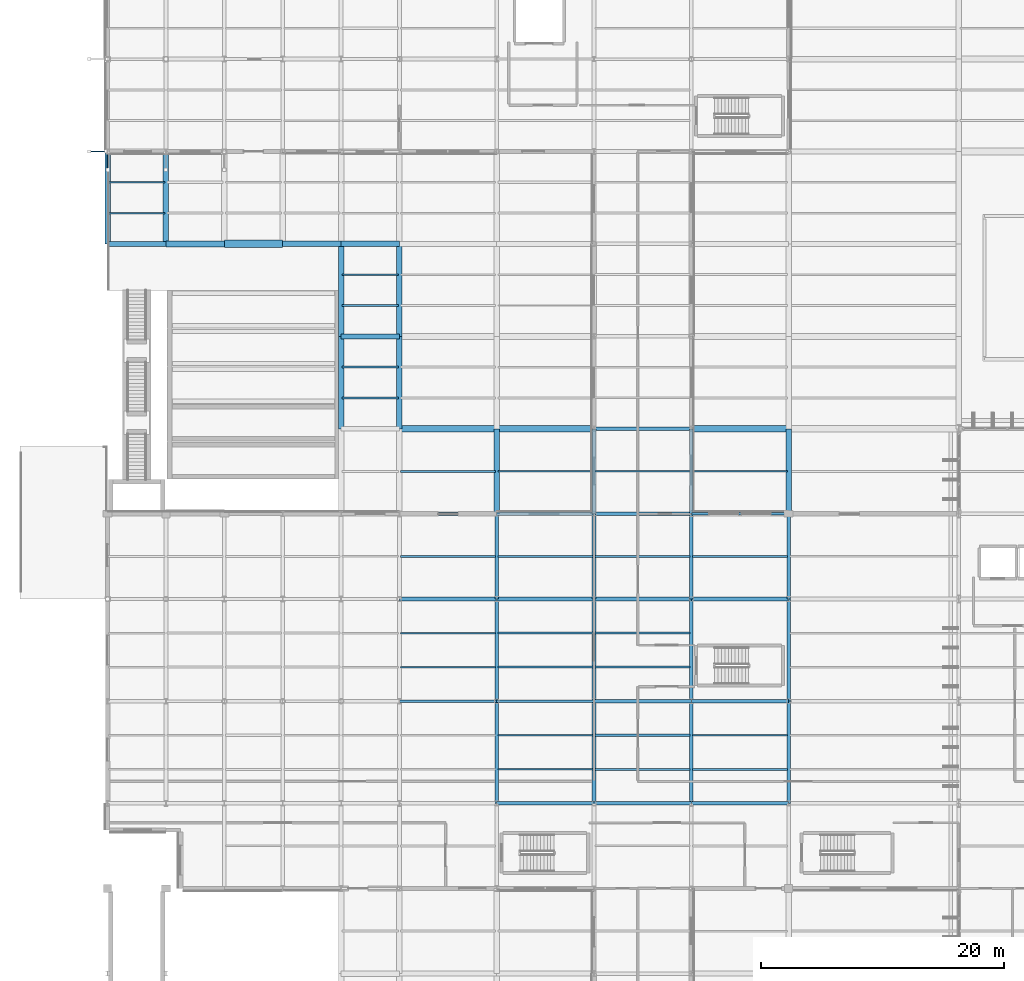
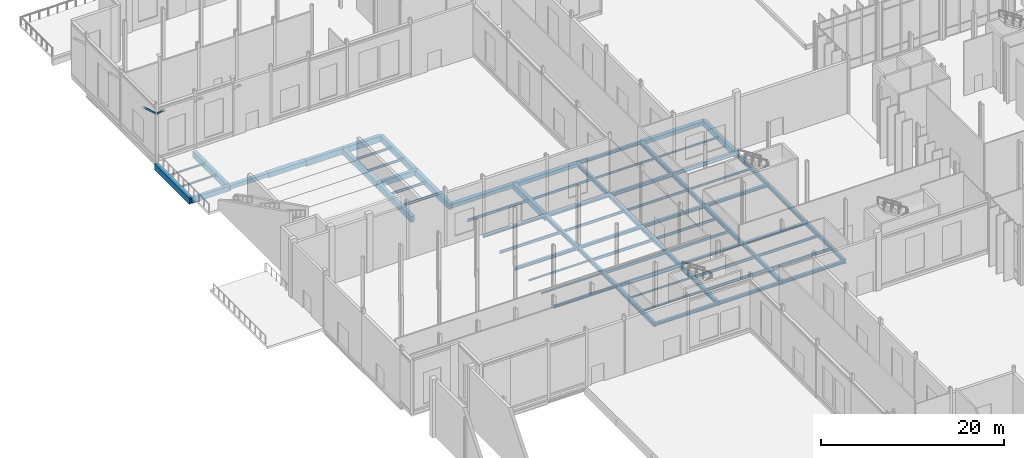
# One storey, part 55 of 176: 73 beams, 2 members.
"""IFC4 building model written with IfcOpenShell, lengths in metres."""

from ifc_helpers import new_model, si_unit, direction, frame, origin, origin_2d, place, context, subcontext, project, spatial, rectangle, hollow_rectangle, i_section, extrude, material, material_profile, profile_set, type_object, element, save


model = new_model("IFC4")

# Units and contexts
model_context = context("Model", 3, precision=1e-05, world=origin(), true_north=direction((0.0, 1.0)))
body_context = subcontext(model_context, "Body", "Model", "MODEL_VIEW")
ifc_project = project(units=[si_unit("LENGTHUNIT", "METRE"), si_unit("AREAUNIT", "SQUARE_METRE"), si_unit("VOLUMEUNIT", "CUBIC_METRE"), si_unit("PLANEANGLEUNIT", "RADIAN"), si_unit("MASSUNIT", "GRAM", prefix="KILO")], contexts=[model_context])

# Site, building, storey
site_placement = place(None, origin())
site = spatial("IfcSite", under=ifc_project, at=site_placement, CompositionType="ELEMENT")
building_placement = place(site_placement, origin())
building = spatial("IfcBuilding", under=site, at=building_placement, Name="Vekula Escarpment Museum", CompositionType="ELEMENT")
storey_placement = place(building_placement, origin())
storey = spatial("IfcBuildingStorey", under=building, at=storey_placement, Name="L01", CompositionType="ELEMENT", Elevation=0.0)

# Beams
ifc_material_1 = material(Name="Steel S355", Category="steel")
ifc_material_profile_1 = material_profile(ifc_material_1, i_section(OverallWidth=0.280029296875, OverallDepth=0.280029296875, WebThickness=0.010498046875, FlangeThickness=0.01806640625, FilletRadius=0.02392578125, at=origin_2d()), Name="HEB 280")
ifc_profile_set_1 = profile_set([ifc_material_profile_1], Name="Steel S355")
beam_type_1 = type_object("IfcBeamType", Name="BM-GIRD-HEB280", PredefinedType="BEAM", material=ifc_profile_set_1)
beam_1_placement = place(storey_placement, frame((40.0, 68.0, -0.43994140625), z_axis=(1.0, 0.0, 0.0), x_axis=(0.0, 1.0, 0.0)))
element("IfcBeam", 1, at=beam_1_placement, inside=storey, type_object=beam_type_1, Name="Beam X L01 0189", PredefinedType="BEAM", context=body_context, shape_type="SweptSolid", body=[
    extrude(i_section(OverallWidth=0.280029296875, OverallDepth=0.280029296875, WebThickness=0.010498046875, FlangeThickness=0.01806640625, FilletRadius=0.02392578125, at=origin_2d()), origin(), (0.0, 0.0, 1.0), 8.0),
])
ifc_material_2 = material(Name="Steel S355", Category="steel")
ifc_material_profile_2 = material_profile(ifc_material_2, i_section(OverallWidth=0.300048828125, OverallDepth=0.300048828125, WebThickness=0.010986328125, FlangeThickness=0.01904296875, FilletRadius=0.027099609375, at=origin_2d()), Name="HEB 300")
ifc_profile_set_2 = profile_set([ifc_material_profile_2], Name="Steel S355")
beam_type_2 = type_object("IfcBeamType", Name="BM-GIRD-HEB300", PredefinedType="BEAM", material=ifc_profile_set_2)
beam_2_placement = place(storey_placement, frame((24.0, 83.39990234375, -0.449951171875), z_axis=(1.0, 0.0, 0.0), x_axis=(0.0, 1.0, 0.0)))
element("IfcBeam", 2, at=beam_2_placement, inside=storey, type_object=beam_type_2, Name="Beam X L01 0233", PredefinedType="BEAM", context=body_context, shape_type="SweptSolid", body=[
    extrude(i_section(OverallWidth=0.300048828125, OverallDepth=0.300048828125, WebThickness=0.010986328125, FlangeThickness=0.01904296875, FilletRadius=0.027099609375, at=origin_2d()), origin(), (0.0, 0.0, 1.0), 8.0),
])
ifc_material_3 = material(Name="Steel S355", Category="steel")
ifc_material_profile_3 = material_profile(ifc_material_3, i_section(OverallWidth=0.300048828125, OverallDepth=0.320068359375, WebThickness=0.011474609375, FlangeThickness=0.0205078125, FilletRadius=0.027099609375, at=origin_2d()), Name="HEB 320")
ifc_profile_set_3 = profile_set([ifc_material_profile_3], Name="Steel S355")
beam_type_3 = type_object("IfcBeamType", Name="BM-GIRD-HEB320", PredefinedType="BEAM", material=ifc_profile_set_3)
beam_3_placement = place(storey_placement, frame((48.0, 68.0, -0.4599609375), z_axis=(1.0, 0.0, 0.0), x_axis=(0.0, 1.0, 0.0)))
element("IfcBeam", 3, at=beam_3_placement, inside=storey, type_object=beam_type_3, Name="Beam X L01 0190", PredefinedType="BEAM", context=body_context, shape_type="SweptSolid", body=[
    extrude(i_section(OverallWidth=0.300048828125, OverallDepth=0.320068359375, WebThickness=0.011474609375, FlangeThickness=0.0205078125, FilletRadius=0.027099609375, at=origin_2d()), origin(), (0.0, 0.0, 1.0), 8.0),
])
ifc_material_4 = material(Name="Steel S355", Category="steel")
ifc_material_profile_4 = material_profile(ifc_material_4, i_section(OverallWidth=0.300048828125, OverallDepth=0.360107421875, WebThickness=0.012451171875, FlangeThickness=0.0224609375, FilletRadius=0.027099609375, at=origin_2d()), Name="HEB 360")
ifc_profile_set_4 = profile_set([ifc_material_profile_4], Name="Steel S355")
beam_type_4 = type_object("IfcBeamType", Name="BM-GIRD-HEB360", PredefinedType="BEAM", material=ifc_profile_set_4)
beam_4_placement = place(storey_placement, frame((32.0, 83.39990234375, -0.5), z_axis=(1.0, 0.0, 0.0), x_axis=(0.0, 1.0, 0.0)))
element("IfcBeam", 4, at=beam_4_placement, inside=storey, type_object=beam_type_4, Name="Beam X L01 0234", PredefinedType="BEAM", context=body_context, shape_type="SweptSolid", body=[
    extrude(i_section(OverallWidth=0.300048828125, OverallDepth=0.360107421875, WebThickness=0.012451171875, FlangeThickness=0.0224609375, FilletRadius=0.027099609375, at=origin_2d()), origin(), (0.0, 0.0, 1.0), 8.0),
])
ifc_material_5 = material(Name="Steel S355", Category="steel")
ifc_material_profile_5 = material_profile(ifc_material_5, i_section(OverallWidth=0.300048828125, OverallDepth=0.449951171875, WebThickness=0.013916015625, FlangeThickness=0.02587890625, FilletRadius=0.027099609375, at=origin_2d()), Name="HEB 450")
ifc_profile_set_5 = profile_set([ifc_material_profile_5], Name="Steel S355")
beam_type_5 = type_object("IfcBeamType", Name="BM-GIRD-HEB450", PredefinedType="BEAM", material=ifc_profile_set_5)
beam_5_placement = place(storey_placement, frame((40.0, 83.39990234375, -0.544921875), z_axis=(1.0, 0.0, 0.0), x_axis=(0.0, 1.0, 0.0)))
element("IfcBeam", 5, at=beam_5_placement, inside=storey, type_object=beam_type_5, Name="Beam X L01 0235", PredefinedType="BEAM", context=body_context, shape_type="SweptSolid", body=[
    extrude(i_section(OverallWidth=0.300048828125, OverallDepth=0.449951171875, WebThickness=0.013916015625, FlangeThickness=0.02587890625, FilletRadius=0.027099609375, at=origin_2d()), origin(), (0.0, 0.0, 1.0), 8.0),
])
ifc_material_6 = material(Name="Steel S355", Category="steel")
ifc_material_profile_6 = material_profile(ifc_material_6, i_section(OverallWidth=0.300048828125, OverallDepth=0.550048828125, WebThickness=0.014892578125, FlangeThickness=0.029052734375, FilletRadius=0.027099609375, at=origin_2d()), Name="HEB 550")
ifc_profile_set_6 = profile_set([ifc_material_profile_6], Name="Steel S355")
beam_type_6 = type_object("IfcBeamType", Name="BM-GIRD-HEB550", PredefinedType="BEAM", material=ifc_profile_set_6)
for number, where, z_axis, x_axis, name in (
    (6, (32.0, 59.60009765625, -0.574951171875), (0.0, 1.0, 0.0), (-1.0, 0.0, 0.0), "Beam Y L01 0469"),
    (7, (32.0, 68.0, -0.574951171875), (0.0, 1.0, 0.0), (-1.0, 0.0, 0.0), "Beam Y L01 0470"),
):
    element("IfcBeam", number, at=place(storey_placement, frame(where, z_axis=z_axis, x_axis=x_axis)), inside=storey, type_object=beam_type_6, Name=name, PredefinedType="BEAM", context=body_context, shape_type="SweptSolid", body=[
        extrude(i_section(OverallWidth=0.300048828125, OverallDepth=0.550048828125, WebThickness=0.014892578125, FlangeThickness=0.029052734375, FilletRadius=0.027099609375, at=origin_2d()), origin(), (0.0, 0.0, 1.0), 8.39990234375),
    ])
beam_6_placement = place(storey_placement, frame((32.0, 76.39990234375, -0.574951171875), z_axis=(0.0, 1.0, 0.0), x_axis=(-1.0, 0.0, 0.0)))
element("IfcBeam", 8, at=beam_6_placement, inside=storey, type_object=beam_type_6, Name="Beam Y L01 0471", PredefinedType="BEAM", context=body_context, shape_type="SweptSolid", body=[
    extrude(i_section(OverallWidth=0.300048828125, OverallDepth=0.550048828125, WebThickness=0.014892578125, FlangeThickness=0.029052734375, FilletRadius=0.027099609375, at=origin_2d()), origin(), (0.0, 0.0, 1.0), 7.0),
])
for number, where, z_axis, x_axis, name in (
    (9, (40.0, 59.60009765625, -0.574951171875), (0.0, 1.0, 0.0), (-1.0, 0.0, 0.0), "Beam Y L01 0487"),
    (10, (40.0, 68.0, -0.574951171875), (0.0, 1.0, 0.0), (-1.0, 0.0, 0.0), "Beam Y L01 0488"),
):
    element("IfcBeam", number, at=place(storey_placement, frame(where, z_axis=z_axis, x_axis=x_axis)), inside=storey, type_object=beam_type_6, Name=name, PredefinedType="BEAM", context=body_context, shape_type="SweptSolid", body=[
        extrude(i_section(OverallWidth=0.300048828125, OverallDepth=0.550048828125, WebThickness=0.014892578125, FlangeThickness=0.029052734375, FilletRadius=0.027099609375, at=origin_2d()), origin(), (0.0, 0.0, 1.0), 8.39990234375),
    ])
for number, where, z_axis, x_axis, name in (
    (11, (40.0, 76.39990234375, -0.594970703125), (0.0, 1.0, 0.0), (-1.0, 0.0, 0.0), "Beam Y L01 0489"),
    (12, (40.0, 83.39990234375, -0.594970703125), (0.0, 1.0, 0.0), (-1.0, 0.0, 0.0), "Beam Y L01 0490"),
):
    element("IfcBeam", number, at=place(storey_placement, frame(where, z_axis=z_axis, x_axis=x_axis)), inside=storey, type_object=beam_type_6, Name=name, PredefinedType="BEAM", context=body_context, shape_type="SweptSolid", body=[
        extrude(i_section(OverallWidth=0.300048828125, OverallDepth=0.550048828125, WebThickness=0.014892578125, FlangeThickness=0.029052734375, FilletRadius=0.027099609375, at=origin_2d()), origin(), (0.0, 0.0, 1.0), 7.0),
    ])
for number, where, z_axis, x_axis, name in (
    (13, (48.0, 59.60009765625, -0.574951171875), (0.0, 1.0, 0.0), (-1.0, 0.0, 0.0), "Beam Y L01 0505"),
    (14, (48.0, 68.0, -0.574951171875), (0.0, 1.0, 0.0), (-1.0, 0.0, 0.0), "Beam Y L01 0506"),
):
    element("IfcBeam", number, at=place(storey_placement, frame(where, z_axis=z_axis, x_axis=x_axis)), inside=storey, type_object=beam_type_6, Name=name, PredefinedType="BEAM", context=body_context, shape_type="SweptSolid", body=[
        extrude(i_section(OverallWidth=0.300048828125, OverallDepth=0.550048828125, WebThickness=0.014892578125, FlangeThickness=0.029052734375, FilletRadius=0.027099609375, at=origin_2d()), origin(), (0.0, 0.0, 1.0), 8.39990234375),
    ])
for number, where, z_axis, x_axis, name in (
    (15, (48.0, 76.39990234375, -0.594970703125), (0.0, 1.0, 0.0), (-1.0, 0.0, 0.0), "Beam Y L01 0507"),
    (16, (48.0, 83.39990234375, -0.594970703125), (0.0, 1.0, 0.0), (-1.0, 0.0, 0.0), "Beam Y L01 0508"),
):
    element("IfcBeam", number, at=place(storey_placement, frame(where, z_axis=z_axis, x_axis=x_axis)), inside=storey, type_object=beam_type_6, Name=name, PredefinedType="BEAM", context=body_context, shape_type="SweptSolid", body=[
        extrude(i_section(OverallWidth=0.300048828125, OverallDepth=0.550048828125, WebThickness=0.014892578125, FlangeThickness=0.029052734375, FilletRadius=0.027099609375, at=origin_2d()), origin(), (0.0, 0.0, 1.0), 7.0),
    ])
for number, where, z_axis, x_axis, name in (
    (17, (56.0, 59.60009765625, -0.574951171875), (0.0, 1.0, 0.0), (-1.0, 0.0, 0.0), "Beam Y L01 0523"),
    (18, (56.0, 68.0, -0.574951171875), (0.0, 1.0, 0.0), (-1.0, 0.0, 0.0), "Beam Y L01 0524"),
):
    element("IfcBeam", number, at=place(storey_placement, frame(where, z_axis=z_axis, x_axis=x_axis)), inside=storey, type_object=beam_type_6, Name=name, PredefinedType="BEAM", context=body_context, shape_type="SweptSolid", body=[
        extrude(i_section(OverallWidth=0.300048828125, OverallDepth=0.550048828125, WebThickness=0.014892578125, FlangeThickness=0.029052734375, FilletRadius=0.027099609375, at=origin_2d()), origin(), (0.0, 0.0, 1.0), 8.39990234375),
    ])
beam_7_placement = place(storey_placement, frame((56.0, 76.39990234375, -0.574951171875), z_axis=(0.0, 1.0, 0.0), x_axis=(-1.0, 0.0, 0.0)))
element("IfcBeam", 19, at=beam_7_placement, inside=storey, type_object=beam_type_6, Name="Beam Y L01 0525", PredefinedType="BEAM", context=body_context, shape_type="SweptSolid", body=[
    extrude(i_section(OverallWidth=0.300048828125, OverallDepth=0.550048828125, WebThickness=0.014892578125, FlangeThickness=0.029052734375, FilletRadius=0.027099609375, at=origin_2d()), origin(), (0.0, 0.0, 1.0), 7.0),
])
ifc_material_7 = material(Name="Steel S355", Category="steel")
ifc_material_profile_7 = material_profile(ifc_material_7, i_section(OverallWidth=0.179931640625, OverallDepth=0.39990234375, WebThickness=0.008544921875, FlangeThickness=0.013427734375, FilletRadius=0.02099609375, at=origin_2d()), Name="IPE 400")
ifc_profile_set_7 = profile_set([ifc_material_profile_7], Name="Steel S355")
beam_type_7 = type_object("IfcBeamType", Name="BM-GIRD-IPE400", PredefinedType="BEAM", material=ifc_profile_set_7)
beam_8_placement = place(storey_placement, frame((24.0, 68.0, -0.5), z_axis=(1.0, 0.0, 0.0), x_axis=(0.0, 1.0, 0.0)))
element("IfcBeam", 20, at=beam_8_placement, inside=storey, type_object=beam_type_7, Name="Beam X L01 0187", PredefinedType="BEAM", context=body_context, shape_type="SweptSolid", body=[
    extrude(i_section(OverallWidth=0.179931640625, OverallDepth=0.39990234375, WebThickness=0.008544921875, FlangeThickness=0.013427734375, FilletRadius=0.02099609375, at=origin_2d()), origin(), (0.0, 0.0, 1.0), 8.0),
])
ifc_material_8 = material(Name="Steel S355", Category="steel")
ifc_material_profile_8 = material_profile(ifc_material_8, i_section(OverallWidth=0.18994140625, OverallDepth=0.449951171875, WebThickness=0.009521484375, FlangeThickness=0.0146484375, FilletRadius=0.02099609375, at=origin_2d()), Name="IPE 450")
ifc_profile_set_8 = profile_set([ifc_material_profile_8], Name="Steel S355")
beam_type_8 = type_object("IfcBeamType", Name="BM-GIRD-IPE450", PredefinedType="BEAM", material=ifc_profile_set_8)
beam_9_placement = place(storey_placement, frame((48.0, 83.39990234375, -0.544921875), z_axis=(1.0, 0.0, 0.0), x_axis=(0.0, 1.0, 0.0)))
element("IfcBeam", 21, at=beam_9_placement, inside=storey, type_object=beam_type_8, Name="Beam X L01 0236", PredefinedType="BEAM", context=body_context, shape_type="SweptSolid", body=[
    extrude(i_section(OverallWidth=0.18994140625, OverallDepth=0.449951171875, WebThickness=0.009521484375, FlangeThickness=0.0146484375, FilletRadius=0.02099609375, at=origin_2d()), origin(), (0.0, 0.0, 1.0), 8.0),
])
ifc_material_9 = material(Name="Steel S355", Category="steel")
ifc_material_profile_9 = material_profile(ifc_material_9, i_section(OverallWidth=0.199951171875, OverallDepth=0.5, WebThickness=0.01025390625, FlangeThickness=0.01611328125, FilletRadius=0.02099609375, at=origin_2d()), Name="IPE 500")
ifc_profile_set_9 = profile_set([ifc_material_profile_9], Name="Steel S355")
beam_type_9 = type_object("IfcBeamType", Name="BM-GIRD-IPE500", PredefinedType="BEAM", material=ifc_profile_set_9)
beam_10_placement = place(storey_placement, frame((32.0, 68.0, -0.550048828125), z_axis=(1.0, 0.0, 0.0), x_axis=(0.0, 1.0, 0.0)))
element("IfcBeam", 22, at=beam_10_placement, inside=storey, type_object=beam_type_9, Name="Beam X L01 0188", PredefinedType="BEAM", context=body_context, shape_type="SweptSolid", body=[
    extrude(i_section(OverallWidth=0.199951171875, OverallDepth=0.5, WebThickness=0.01025390625, FlangeThickness=0.01611328125, FilletRadius=0.02099609375, at=origin_2d()), origin(), (0.0, 0.0, 1.0), 8.0),
])
ifc_material_10 = material(Name="Steel S355", Category="steel")
ifc_material_profile_10 = material_profile(ifc_material_10, i_section(OverallWidth=0.1201171875, OverallDepth=0.239990234375, WebThickness=0.006103515625, FlangeThickness=0.009765625, FilletRadius=0.014892578125, at=origin_2d()), Name="IPE 240")
ifc_profile_set_10 = profile_set([ifc_material_profile_10], Name="Steel S355")
beam_type_10 = type_object("IfcBeamType", Name="BM-JST-IPE240", PredefinedType="JOIST", material=ifc_profile_set_10)
for number, where, z_axis, x_axis, name in (
    (23, (0.090087890625, 108.13330078125, -0.469970703125), (1.0, 0.0, 0.0), (0.0, 1.0, 0.0), "Secondary Joist L01 0006"),
    (24, (0.090087890625, 110.666748046875, -0.469970703125), (1.0, 0.0, 0.0), (0.0, 1.0, 0.0), "Secondary Joist L01 0007"),
):
    element("IfcBeam", number, at=place(storey_placement, frame(where, z_axis=z_axis, x_axis=x_axis)), inside=storey, type_object=beam_type_10, Name=name, PredefinedType="JOIST", context=body_context, shape_type="SweptSolid", body=[
        extrude(i_section(OverallWidth=0.1201171875, OverallDepth=0.239990234375, WebThickness=0.006103515625, FlangeThickness=0.009765625, FilletRadius=0.014892578125, at=origin_2d()), origin(), (0.0, 0.0, 1.0), 4.619873046875),
    ])
for number, where, z_axis, x_axis, name in (
    (25, (24.090087890625, 70.800048828125, -0.419921875), (1.0, 0.0, 0.0), (0.0, 1.0, 0.0), "Secondary Joist L01 0098"),
    (26, (24.090087890625, 73.60009765625, -0.419921875), (1.0, 0.0, 0.0), (0.0, 1.0, 0.0), "Secondary Joist L01 0099"),
    (27, (32.090087890625, 62.39990234375, -0.419921875), (1.0, 0.0, 0.0), (0.0, 1.0, 0.0), "Secondary Joist L01 0127"),
    (28, (32.090087890625, 65.199951171875, -0.419921875), (1.0, 0.0, 0.0), (0.0, 1.0, 0.0), "Secondary Joist L01 0128"),
    (29, (48.090087890625, 86.89990234375, -0.43994140625), (1.0, 0.0, 0.0), (0.0, 1.0, 0.0), "Secondary Joist L01 0190"),
):
    element("IfcBeam", number, at=place(storey_placement, frame(where, z_axis=z_axis, x_axis=x_axis)), inside=storey, type_object=beam_type_10, Name=name, PredefinedType="JOIST", context=body_context, shape_type="SweptSolid", body=[
        extrude(i_section(OverallWidth=0.1201171875, OverallDepth=0.239990234375, WebThickness=0.006103515625, FlangeThickness=0.009765625, FilletRadius=0.014892578125, at=origin_2d()), origin(), (0.0, 0.0, 1.0), 7.81982421875),
    ])
ifc_material_11 = material(Name="Steel S355", Category="steel")
ifc_material_profile_11 = material_profile(ifc_material_11, i_section(OverallWidth=0.135009765625, OverallDepth=0.27001953125, WebThickness=0.006591796875, FlangeThickness=0.01025390625, FilletRadius=0.014892578125, at=origin_2d()), Name="IPE 270")
ifc_profile_set_11 = profile_set([ifc_material_profile_11], Name="Steel S355")
beam_type_11 = type_object("IfcBeamType", Name="BM-JST-IPE270", PredefinedType="JOIST", material=ifc_profile_set_11)
for number, where, z_axis, x_axis, name in (
    (30, (40.090087890625, 86.89990234375, -0.455078125), (1.0, 0.0, 0.0), (0.0, 1.0, 0.0), "Secondary Joist L01 0162"),
    (31, (48.090087890625, 79.89990234375, -0.43505859375), (1.0, 0.0, 0.0), (0.0, 1.0, 0.0), "Secondary Joist L01 0189"),
):
    element("IfcBeam", number, at=place(storey_placement, frame(where, z_axis=z_axis, x_axis=x_axis)), inside=storey, type_object=beam_type_11, Name=name, PredefinedType="JOIST", context=body_context, shape_type="SweptSolid", body=[
        extrude(i_section(OverallWidth=0.135009765625, OverallDepth=0.27001953125, WebThickness=0.006591796875, FlangeThickness=0.01025390625, FilletRadius=0.014892578125, at=origin_2d()), origin(), (0.0, 0.0, 1.0), 7.81982421875),
    ])
ifc_material_12 = material(Name="Steel S355", Category="steel")
ifc_material_profile_12 = material_profile(ifc_material_12, i_section(OverallWidth=0.14990234375, OverallDepth=0.300048828125, WebThickness=0.007080078125, FlangeThickness=0.0107421875, FilletRadius=0.014892578125, at=origin_2d()), Name="IPE 300")
ifc_profile_set_12 = profile_set([ifc_material_profile_12], Name="Steel S355")
beam_type_12 = type_object("IfcBeamType", Name="BM-JST-IPE300", PredefinedType="JOIST", material=ifc_profile_set_12)
for number, where, z_axis, x_axis, name in (
    (32, (19.2900390625, 100.533203125, -0.449951171875), (1.0, 0.0, 0.0), (0.0, 1.0, 0.0), "Secondary Joist L01 0073"),
    (33, (19.2900390625, 103.066650390625, -0.449951171875), (1.0, 0.0, 0.0), (0.0, 1.0, 0.0), "Secondary Joist L01 0074"),
):
    element("IfcBeam", number, at=place(storey_placement, frame(where, z_axis=z_axis, x_axis=x_axis)), inside=storey, type_object=beam_type_12, Name=name, PredefinedType="JOIST", context=body_context, shape_type="SweptSolid", body=[
        extrude(i_section(OverallWidth=0.14990234375, OverallDepth=0.300048828125, WebThickness=0.007080078125, FlangeThickness=0.0107421875, FilletRadius=0.014892578125, at=origin_2d()), origin(), (0.0, 0.0, 1.0), 4.619873046875),
    ])
for number, where, z_axis, x_axis, name in (
    (34, (32.090087890625, 86.89990234375, -0.469970703125), (1.0, 0.0, 0.0), (0.0, 1.0, 0.0), "Secondary Joist L01 0132"),
    (35, (40.090087890625, 79.89990234375, -0.469970703125), (1.0, 0.0, 0.0), (0.0, 1.0, 0.0), "Secondary Joist L01 0161"),
):
    element("IfcBeam", number, at=place(storey_placement, frame(where, z_axis=z_axis, x_axis=x_axis)), inside=storey, type_object=beam_type_12, Name=name, PredefinedType="JOIST", context=body_context, shape_type="SweptSolid", body=[
        extrude(i_section(OverallWidth=0.14990234375, OverallDepth=0.300048828125, WebThickness=0.007080078125, FlangeThickness=0.0107421875, FilletRadius=0.014892578125, at=origin_2d()), origin(), (0.0, 0.0, 1.0), 7.81982421875),
    ])
ifc_material_13 = material(Name="Steel S355", Category="steel")
ifc_material_profile_13 = material_profile(ifc_material_13, i_section(OverallWidth=0.159912109375, OverallDepth=0.330078125, WebThickness=0.007568359375, FlangeThickness=0.011474609375, FilletRadius=0.01806640625, at=origin_2d()), Name="IPE 330")
ifc_profile_set_13 = profile_set([ifc_material_profile_13], Name="Steel S355")
beam_type_13 = type_object("IfcBeamType", Name="BM-JST-IPE330", PredefinedType="JOIST", material=ifc_profile_set_13)
for number, where, z_axis, x_axis, name in (
    (36, (19.2900390625, 92.933349609375, -0.465087890625), (1.0, 0.0, 0.0), (0.0, 1.0, 0.0), "Secondary Joist L01 0071"),
    (37, (19.2900390625, 95.466796875, -0.465087890625), (1.0, 0.0, 0.0), (0.0, 1.0, 0.0), "Secondary Joist L01 0072"),
):
    element("IfcBeam", number, at=place(storey_placement, frame(where, z_axis=z_axis, x_axis=x_axis)), inside=storey, type_object=beam_type_13, Name=name, PredefinedType="JOIST", context=body_context, shape_type="SweptSolid", body=[
        extrude(i_section(OverallWidth=0.159912109375, OverallDepth=0.330078125, WebThickness=0.007568359375, FlangeThickness=0.011474609375, FilletRadius=0.01806640625, at=origin_2d()), origin(), (0.0, 0.0, 1.0), 4.619873046875),
    ])
for number, where, z_axis, x_axis, name in (
    (38, (24.090087890625, 86.89990234375, -0.465087890625), (1.0, 0.0, 0.0), (0.0, 1.0, 0.0), "Secondary Joist L01 0101"),
    (39, (32.090087890625, 79.89990234375, -0.485107421875), (1.0, 0.0, 0.0), (0.0, 1.0, 0.0), "Secondary Joist L01 0131"),
    (40, (40.090087890625, 70.800048828125, -0.465087890625), (1.0, 0.0, 0.0), (0.0, 1.0, 0.0), "Secondary Joist L01 0159"),
    (41, (40.090087890625, 73.60009765625, -0.465087890625), (1.0, 0.0, 0.0), (0.0, 1.0, 0.0), "Secondary Joist L01 0160"),
    (42, (48.090087890625, 62.39990234375, -0.465087890625), (1.0, 0.0, 0.0), (0.0, 1.0, 0.0), "Secondary Joist L01 0187"),
    (43, (48.090087890625, 65.199951171875, -0.465087890625), (1.0, 0.0, 0.0), (0.0, 1.0, 0.0), "Secondary Joist L01 0188"),
):
    element("IfcBeam", number, at=place(storey_placement, frame(where, z_axis=z_axis, x_axis=x_axis)), inside=storey, type_object=beam_type_13, Name=name, PredefinedType="JOIST", context=body_context, shape_type="SweptSolid", body=[
        extrude(i_section(OverallWidth=0.159912109375, OverallDepth=0.330078125, WebThickness=0.007568359375, FlangeThickness=0.011474609375, FilletRadius=0.01806640625, at=origin_2d()), origin(), (0.0, 0.0, 1.0), 7.81982421875),
    ])
ifc_material_14 = material(Name="Steel S355", Category="steel")
ifc_material_profile_14 = material_profile(ifc_material_14, i_section(OverallWidth=0.169921875, OverallDepth=0.360107421875, WebThickness=0.008056640625, FlangeThickness=0.0126953125, FilletRadius=0.01806640625, at=origin_2d()), Name="IPE 360")
ifc_profile_set_14 = profile_set([ifc_material_profile_14], Name="Steel S355")
beam_type_14 = type_object("IfcBeamType", Name="BM-JST-IPE360", PredefinedType="JOIST", material=ifc_profile_set_14)
for number, where, z_axis, x_axis, name in (
    (44, (24.090087890625, 79.89990234375, -0.47998046875), (1.0, 0.0, 0.0), (0.0, 1.0, 0.0), "Secondary Joist L01 0100"),
    (45, (32.090087890625, 70.800048828125, -0.47998046875), (1.0, 0.0, 0.0), (0.0, 1.0, 0.0), "Secondary Joist L01 0129"),
    (46, (32.090087890625, 73.60009765625, -0.47998046875), (1.0, 0.0, 0.0), (0.0, 1.0, 0.0), "Secondary Joist L01 0130"),
    (47, (40.090087890625, 62.39990234375, -0.47998046875), (1.0, 0.0, 0.0), (0.0, 1.0, 0.0), "Secondary Joist L01 0157"),
    (48, (40.090087890625, 65.199951171875, -0.47998046875), (1.0, 0.0, 0.0), (0.0, 1.0, 0.0), "Secondary Joist L01 0158"),
):
    element("IfcBeam", number, at=place(storey_placement, frame(where, z_axis=z_axis, x_axis=x_axis)), inside=storey, type_object=beam_type_14, Name=name, PredefinedType="JOIST", context=body_context, shape_type="SweptSolid", body=[
        extrude(i_section(OverallWidth=0.169921875, OverallDepth=0.360107421875, WebThickness=0.008056640625, FlangeThickness=0.0126953125, FilletRadius=0.01806640625, at=origin_2d()), origin(), (0.0, 0.0, 1.0), 7.81982421875),
    ])
ifc_material_15 = material(Name="Concrete C35/45", Category="concrete")
ifc_material_profile_15 = material_profile(ifc_material_15, rectangle(XDim=0.449951171875, YDim=0.800048828125, at=origin_2d()), Name="RC 450x800")
ifc_profile_set_15 = profile_set([ifc_material_profile_15], Name="Concrete C35/45")
beam_type_15 = type_object("IfcBeamType", Name="BM-PLINTH-RC", PredefinedType="BEAM", material=ifc_profile_set_15)
for number, where, z_axis, x_axis, name in (
    (49, (14.39990234375, 105.60009765625, -0.699951171875), (1.0, 0.0, 0.0), (0.0, 1.0, 0.0), "Beam X L01 0289"),
    (50, (19.199951171875, 105.60009765625, -0.699951171875), (1.0, 0.0, 0.0), (0.0, 1.0, 0.0), "Beam X L01 0290"),
):
    element("IfcBeam", number, at=place(storey_placement, frame(where, z_axis=z_axis, x_axis=x_axis)), inside=storey, type_object=beam_type_15, Name=name, PredefinedType="BEAM", context=body_context, shape_type="SweptSolid", body=[
        extrude(rectangle(XDim=0.449951171875, YDim=0.800048828125, at=origin_2d()), origin(), (0.0, 0.0, 1.0), 4.800048828125),
    ])
for number, where, z_axis, x_axis, name in (
    (51, (0.0, 105.60009765625, -0.75), (0.0, 1.0, 0.0), (-1.0, 0.0, 0.0), "Beam Y L01 0400"),
    (52, (4.800048828125, 105.60009765625, -0.75), (0.0, 1.0, 0.0), (-1.0, 0.0, 0.0), "Beam Y L01 0406"),
):
    element("IfcBeam", number, at=place(storey_placement, frame(where, z_axis=z_axis, x_axis=x_axis)), inside=storey, type_object=beam_type_15, Name=name, PredefinedType="BEAM", context=body_context, shape_type="SweptSolid", body=[
        extrude(rectangle(XDim=0.449951171875, YDim=0.800048828125, at=origin_2d()), origin(), (0.0, 0.0, 1.0), 7.599853515625),
    ])
for number, where, z_axis, x_axis, name in (
    (53, (19.199951171875, 90.39990234375, -0.699951171875), (0.0, 1.0, 0.0), (-1.0, 0.0, 0.0), "Beam Y L01 0437"),
    (54, (19.199951171875, 98.0, -0.699951171875), (0.0, 1.0, 0.0), (-1.0, 0.0, 0.0), "Beam Y L01 0438"),
    (55, (24.0, 90.39990234375, -0.699951171875), (0.0, 1.0, 0.0), (-1.0, 0.0, 0.0), "Beam Y L01 0455"),
    (56, (24.0, 98.0, -0.699951171875), (0.0, 1.0, 0.0), (-1.0, 0.0, 0.0), "Beam Y L01 0456"),
):
    element("IfcBeam", number, at=place(storey_placement, frame(where, z_axis=z_axis, x_axis=x_axis)), inside=storey, type_object=beam_type_15, Name=name, PredefinedType="BEAM", context=body_context, shape_type="SweptSolid", body=[
        extrude(rectangle(XDim=0.449951171875, YDim=0.800048828125, at=origin_2d()), origin(), (0.0, 0.0, 1.0), 7.60009765625),
    ])
for number, where, z_axis, x_axis, name in (
    (57, (32.0, 83.39990234375, -0.699951171875), (0.0, 1.0, 0.0), (-1.0, 0.0, 0.0), "Beam Y L01 0472"),
    (58, (56.0, 83.39990234375, -0.699951171875), (0.0, 1.0, 0.0), (-1.0, 0.0, 0.0), "Beam Y L01 0526"),
):
    element("IfcBeam", number, at=place(storey_placement, frame(where, z_axis=z_axis, x_axis=x_axis)), inside=storey, type_object=beam_type_15, Name=name, PredefinedType="BEAM", context=body_context, shape_type="SweptSolid", body=[
        extrude(rectangle(XDim=0.449951171875, YDim=0.800048828125, at=origin_2d()), origin(), (0.0, 0.0, 1.0), 7.0),
    ])
ifc_material_16 = material(Name="Concrete C35/45", Category="concrete")
ifc_material_profile_16 = material_profile(ifc_material_16, rectangle(XDim=0.39990234375, YDim=0.699951171875, at=origin_2d()), Name="RC 400x700")
ifc_profile_set_16 = profile_set([ifc_material_profile_16], Name="Concrete C35/45")
beam_type_16 = type_object("IfcBeamType", Name="BM-PLINTH-RC2", PredefinedType="BEAM", material=ifc_profile_set_16)
for number, where, z_axis, x_axis, name in (
    (59, (19.199951171875, 98.0, -0.64990234375), (1.0, 0.0, 0.0), (0.0, 1.0, 0.0), "Beam X L01 0270"),
    (60, (0.0, 105.60009765625, -0.64990234375), (1.0, 0.0, 0.0), (0.0, 1.0, 0.0), "Beam X L01 0286"),
):
    element("IfcBeam", number, at=place(storey_placement, frame(where, z_axis=z_axis, x_axis=x_axis)), inside=storey, type_object=beam_type_16, Name=name, PredefinedType="BEAM", context=body_context, shape_type="SweptSolid", body=[
        extrude(rectangle(XDim=0.39990234375, YDim=0.699951171875, at=origin_2d()), origin(), (0.0, 0.0, 1.0), 4.800048828125),
    ])
ifc_material_17 = material(Name="Concrete C35/45", Category="concrete")
ifc_material_profile_17 = material_profile(ifc_material_17, rectangle(XDim=0.5, YDim=0.5, at=origin_2d()), Name="RC 500x500")
ifc_profile_set_17 = profile_set([ifc_material_profile_17], Name="Concrete C35/45")
beam_type_17 = type_object("IfcBeamType", Name="BM-PLINTH-RC3", PredefinedType="BEAM", material=ifc_profile_set_17)
for number, where, z_axis, x_axis, name in (
    (61, (24.0, 90.39990234375, -0.550048828125), (1.0, 0.0, 0.0), (0.0, 1.0, 0.0), "Beam X L01 0252"),
    (62, (32.0, 90.39990234375, -0.570068359375), (1.0, 0.0, 0.0), (0.0, 1.0, 0.0), "Beam X L01 0253"),
    (63, (48.0, 90.39990234375, -0.570068359375), (1.0, 0.0, 0.0), (0.0, 1.0, 0.0), "Beam X L01 0255"),
):
    element("IfcBeam", number, at=place(storey_placement, frame(where, z_axis=z_axis, x_axis=x_axis)), inside=storey, type_object=beam_type_17, Name=name, PredefinedType="BEAM", context=body_context, shape_type="SweptSolid", body=[
        extrude(rectangle(XDim=0.5, YDim=0.5, at=origin_2d()), origin(), (0.0, 0.0, 1.0), 8.0),
    ])
beam_11_placement = place(storey_placement, frame((4.800048828125, 105.60009765625, -0.550048828125), z_axis=(1.0, 0.0, 0.0), x_axis=(0.0, 1.0, 0.0)))
element("IfcBeam", 64, at=beam_11_placement, inside=storey, type_object=beam_type_17, Name="Beam X L01 0287", PredefinedType="BEAM", context=body_context, shape_type="SweptSolid", body=[
    extrude(rectangle(XDim=0.5, YDim=0.5, at=origin_2d()), origin(), (0.0, 0.0, 1.0), 4.800048828125),
])
ifc_material_18 = material(Name="Concrete C35/45", Category="concrete")
ifc_material_profile_18 = material_profile(ifc_material_18, rectangle(XDim=0.60009765625, YDim=0.60009765625, at=origin_2d()), Name="RC 600x600")
ifc_profile_set_18 = profile_set([ifc_material_profile_18], Name="Concrete C35/45")
beam_type_18 = type_object("IfcBeamType", Name="BM-PLINTH-RC4", PredefinedType="BEAM", material=ifc_profile_set_18)
beam_12_placement = place(storey_placement, frame((9.60009765625, 105.60009765625, -0.60009765625), z_axis=(1.0, 0.0, 0.0), x_axis=(0.0, 1.0, 0.0)))
element("IfcBeam", 65, at=beam_12_placement, inside=storey, type_object=beam_type_18, Name="Beam X L01 0288", PredefinedType="BEAM", context=body_context, shape_type="SweptSolid", body=[
    extrude(rectangle(XDim=0.60009765625, YDim=0.60009765625, at=origin_2d()), origin(), (0.0, 0.0, 1.0), 4.7998046875),
])
ifc_material_19 = material(Name="Steel S355", Category="steel")
ifc_material_profile_19 = material_profile(ifc_material_19, i_section(OverallWidth=0.300048828125, OverallDepth=0.389892578125, WebThickness=0.010986328125, FlangeThickness=0.01904296875, FilletRadius=0.027099609375, at=origin_2d()), Name="HEA 400")
ifc_profile_set_19 = profile_set([ifc_material_profile_19], Name="Steel S355")
beam_type_19 = type_object("IfcBeamType", Name="BM-SPAN-HEA400", PredefinedType="SPANDREL", material=ifc_profile_set_19)
for number, where, z_axis, x_axis, name in (
    (66, (32.0, 59.60009765625, -0.4951171875), (1.0, 0.0, 0.0), (0.0, 1.0, 0.0), "Beam X L01 0165"),
    (67, (40.0, 59.60009765625, -0.4951171875), (1.0, 0.0, 0.0), (0.0, 1.0, 0.0), "Beam X L01 0166"),
    (68, (48.0, 59.60009765625, -0.4951171875), (1.0, 0.0, 0.0), (0.0, 1.0, 0.0), "Beam X L01 0167"),
    (69, (24.0, 76.39990234375, -0.4951171875), (1.0, 0.0, 0.0), (0.0, 1.0, 0.0), "Beam X L01 0210"),
    (70, (32.0, 76.39990234375, -0.4951171875), (1.0, 0.0, 0.0), (0.0, 1.0, 0.0), "Beam X L01 0211"),
    (71, (40.0, 76.39990234375, -0.4951171875), (1.0, 0.0, 0.0), (0.0, 1.0, 0.0), "Beam X L01 0212"),
    (72, (48.0, 76.39990234375, -0.4951171875), (1.0, 0.0, 0.0), (0.0, 1.0, 0.0), "Beam X L01 0213"),
    (73, (40.0, 90.39990234375, -0.514892578125), (1.0, 0.0, 0.0), (0.0, 1.0, 0.0), "Beam X L01 0254"),
):
    element("IfcBeam", number, at=place(storey_placement, frame(where, z_axis=z_axis, x_axis=x_axis)), inside=storey, type_object=beam_type_19, Name=name, PredefinedType="SPANDREL", context=body_context, shape_type="SweptSolid", body=[
        extrude(i_section(OverallWidth=0.300048828125, OverallDepth=0.389892578125, WebThickness=0.010986328125, FlangeThickness=0.01904296875, FilletRadius=0.027099609375, at=origin_2d()), origin(), (0.0, 0.0, 1.0), 8.0),
    ])

# Members
ifc_material_20 = material(Name="Steel S355", Category="steel")
ifc_material_profile_20 = material_profile(ifc_material_20, hollow_rectangle(XDim=0.10009765625, YDim=0.199951171875, WallThickness=0.008056640625, InnerFilletRadius=0.008056640625, OuterFilletRadius=0.01611328125, at=origin_2d()), Name="RHS 200x100x8")
ifc_profile_set_20 = profile_set([ifc_material_profile_20], Name="Steel S355")
member_type = type_object("IfcMemberType", Name="MB-SACAK-BRK", PredefinedType="STRUT", material=ifc_profile_set_20)
member_1_placement = place(storey_placement, frame((-0.1201171875, 113.199951171875, 6.35009765625), z_axis=(-0.738454378718, 0.0, 0.674303441006), x_axis=(0.0, -1.0, 0.0)))
element("IfcMember", 74, at=member_1_placement, inside=storey, type_object=member_type, Name="Ottoman Sacak Eave Bracket L02-0001", PredefinedType="STRUT", context=body_context, shape_type="SweptSolid", body=[
    extrude(hollow_rectangle(XDim=0.10009765625, YDim=0.199951171875, WallThickness=0.008056640625, InnerFilletRadius=0.008056640625, OuterFilletRadius=0.01611328125, at=origin_2d()), origin(), (0.0, 0.0, 1.0), 1.86865234375),
])
member_2_placement = place(storey_placement, frame((0.0, 113.080078125, 6.35009765625), z_axis=(0.0, -0.738513776389, 0.674238386688), x_axis=(1.0, 0.0, 0.0)))
element("IfcMember", 75, at=member_2_placement, inside=storey, type_object=member_type, Name="Ottoman Sacak Eave Bracket L02-0002", PredefinedType="STRUT", context=body_context, shape_type="SweptSolid", body=[
    extrude(hollow_rectangle(XDim=0.10009765625, YDim=0.199951171875, WallThickness=0.008056640625, InnerFilletRadius=0.008056640625, OuterFilletRadius=0.01611328125, at=origin_2d()), origin(), (0.0, 0.0, 1.0), 1.868896484375),
])

save(model, "model.ifc")
